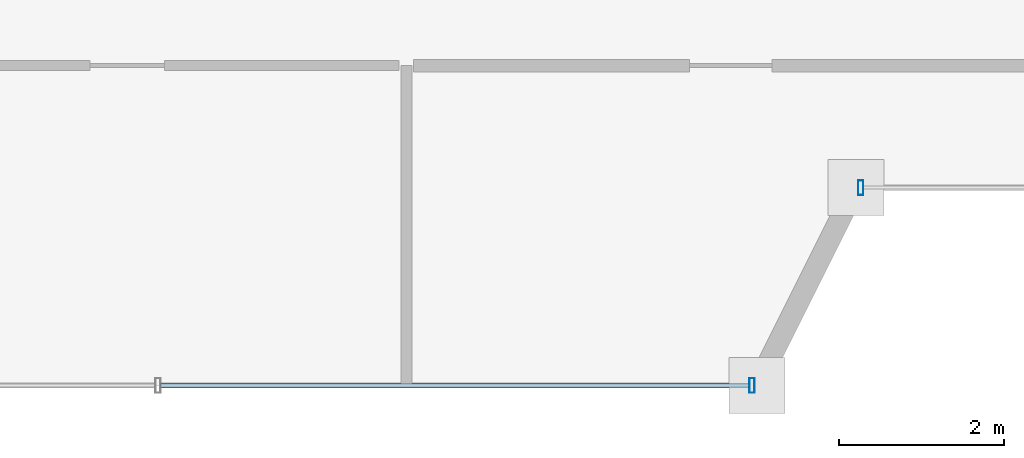
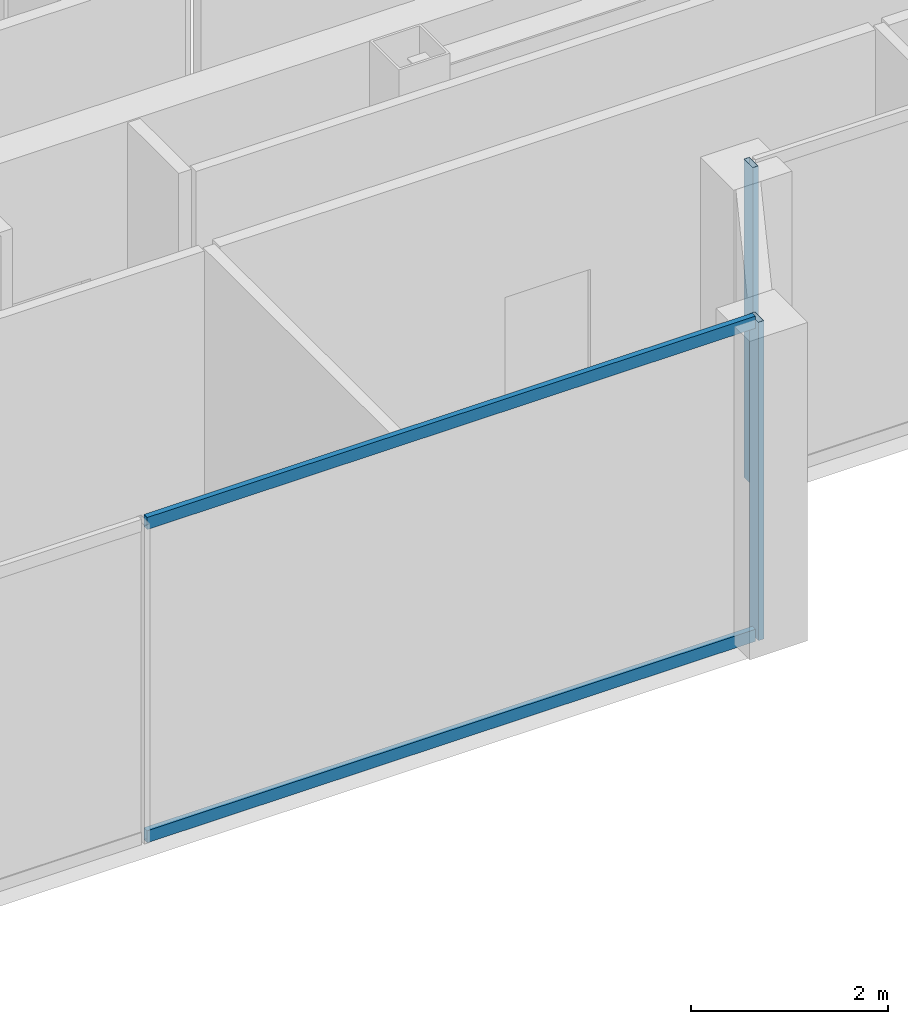
# One storey, part 4 of 20: 4 members, 2 elements without a shape of their own.
"""IFC4 building model written with IfcOpenShell, lengths in metres."""

from ifc_helpers import new_model, si_unit, direction, frame, origin, origin_2d, place, context, subcontext, project, spatial, hollow_rectangle, extrude, material, material_profile, profile_set, type_object, element, aggregate, save


model = new_model("IFC4")

# Units and contexts
model_context = context("Model", 3, precision=1e-05, world=origin(), true_north=direction((0.0, 1.0)))
body_context = subcontext(model_context, "Body", "Model", "MODEL_VIEW")
ifc_project = project(units=[si_unit("LENGTHUNIT", "METRE"), si_unit("AREAUNIT", "SQUARE_METRE"), si_unit("VOLUMEUNIT", "CUBIC_METRE"), si_unit("PLANEANGLEUNIT", "RADIAN"), si_unit("MASSUNIT", "GRAM", prefix="KILO")], contexts=[model_context])

# Site, building, storey
site_placement = place(None, origin())
site = spatial("IfcSite", under=ifc_project, at=site_placement, CompositionType="ELEMENT")
building_placement = place(site_placement, origin())
building = spatial("IfcBuilding", under=site, at=building_placement, Name="Saevonmaru Cultural Tower", CompositionType="ELEMENT")
storey_placement = place(building_placement, frame((0.0, 0.0, 319.199951171875)))
storey = spatial("IfcBuildingStorey", under=building, at=storey_placement, Name="L76", CompositionType="ELEMENT", Elevation=319.199951171875)

# Curtain wall, member
ifc_material = material(Name="Satin Bronze Anodised Aluminium", Category="aluminium")
curtain_wall_type = type_object("IfcCurtainWallType", Name="CW-SKY-GLZ", PredefinedType="NOTDEFINED", material=ifc_material)
curtain_wall_1_placement = place(storey_placement, origin())
curtain_wall_1 = element("IfcCurtainWall", 1, at=curtain_wall_1_placement, inside=storey, type_object=curtain_wall_type, Name="L76 Unitised Curtain Wall E2", PredefinedType="NOTDEFINED")
ifc_material_profile_1 = material_profile(ifc_material, hollow_rectangle(XDim=0.06494140625, YDim=0.179931640625, WallThickness=0.00390625, at=origin_2d()), Name="ALU-MULL-180x65x4")
ifc_profile_set_1 = profile_set([ifc_material_profile_1], Name="Satin Bronze Anodised Aluminium")
member_type_1 = type_object("IfcMemberType", Name="ML-CW-180x65", PredefinedType="MULLION", material=ifc_profile_set_1)
member_1_placement = place(storey_placement, frame((24.43994140625, 36.800048828125, 0.0), z_axis=(0.0, 0.0, 1.0), x_axis=(1.0, 0.0, 0.0)))
member_1 = element("IfcMember", 2, at=member_1_placement, type_object=member_type_1, Name="CW-TW-L76-E2 mullion 3", PredefinedType="MULLION", context=body_context, shape_type="SweptSolid", body=[
    extrude(hollow_rectangle(XDim=0.06494140625, YDim=0.179931640625, WallThickness=0.00390625, at=origin_2d()), origin(), (0.0, 0.0, 1.0), 3.949951171875),
])

curtain_wall_2_placement = place(storey_placement, origin())
curtain_wall_2 = element("IfcCurtainWall", 3, at=curtain_wall_2_placement, inside=storey, type_object=curtain_wall_type, Name="L76 Unitised Curtain Wall E4", PredefinedType="NOTDEFINED")
member_2_placement = place(storey_placement, frame((25.760009765625, 39.199951171875, 0.0), z_axis=(0.0, 0.0, 1.0), x_axis=(1.0, 0.0, 0.0)))
member_2 = element("IfcMember", 4, at=member_2_placement, type_object=member_type_1, Name="CW-TW-L76-E4 mullion 1", PredefinedType="MULLION", context=body_context, shape_type="SweptSolid", body=[
    extrude(hollow_rectangle(XDim=0.06494140625, YDim=0.179931640625, WallThickness=0.00390625, at=origin_2d()), origin(), (0.0, 0.0, 1.0), 3.949951171875),
])
aggregate(curtain_wall_2, [member_2])

# Member
ifc_material_profile_2 = material_profile(ifc_material, hollow_rectangle(XDim=0.06494140625, YDim=0.14990234375, WallThickness=0.00390625, at=origin_2d()), Name="ALU-TRAN-150x65x4")
ifc_profile_set_2 = profile_set([ifc_material_profile_2], Name="Satin Bronze Anodised Aluminium")
member_type_2 = type_object("IfcMemberType", Name="TR-CW-150x65", PredefinedType="USERDEFINED", material=ifc_profile_set_2)
member_3_placement = place(storey_placement, frame((17.26904296875, 36.800048828125, 0.032470703125), z_axis=(1.0, 0.0, 0.0), x_axis=(0.0, 1.0, 0.0)))
member_3 = element("IfcMember", 5, at=member_3_placement, type_object=member_type_2, Name="CW-TW-L76-E2 transom 2.1", ObjectType="TRANSOM", PredefinedType="USERDEFINED", context=body_context, shape_type="SweptSolid", body=[
    extrude(hollow_rectangle(XDim=0.06494140625, YDim=0.14990234375, WallThickness=0.00390625, at=origin_2d()), origin(), (0.0, 0.0, 1.0), 7.138427734375),
])

member_4_placement = place(storey_placement, frame((17.26904296875, 36.800048828125, 3.91748046875), z_axis=(1.0, 0.0, 0.0), x_axis=(0.0, 1.0, 0.0)))
member_4 = element("IfcMember", 6, at=member_4_placement, type_object=member_type_2, Name="CW-TW-L76-E2 transom 2.2", ObjectType="TRANSOM", PredefinedType="USERDEFINED", context=body_context, shape_type="SweptSolid", body=[
    extrude(hollow_rectangle(XDim=0.06494140625, YDim=0.14990234375, WallThickness=0.00390625, at=origin_2d()), origin(), (0.0, 0.0, 1.0), 7.138427734375),
])

aggregate(curtain_wall_1, [member_1, member_3, member_4])

save(model, "model.ifc")
